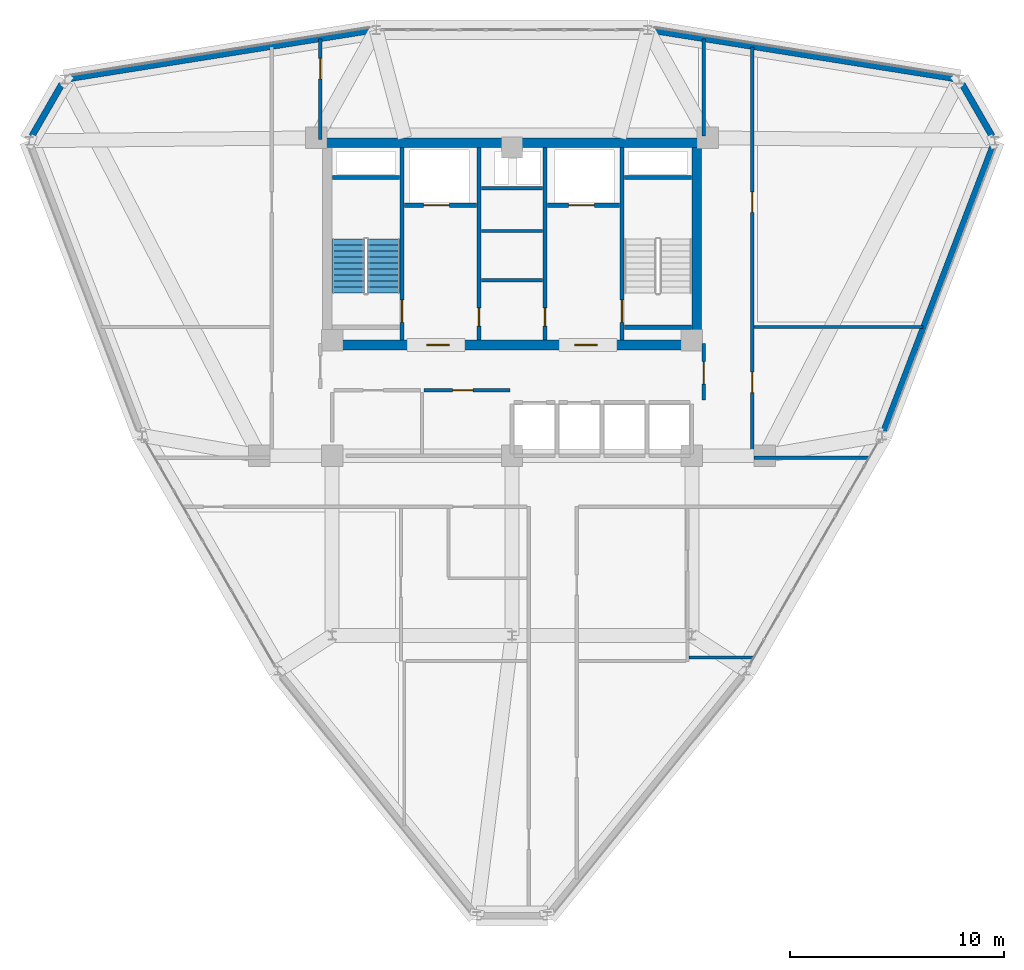
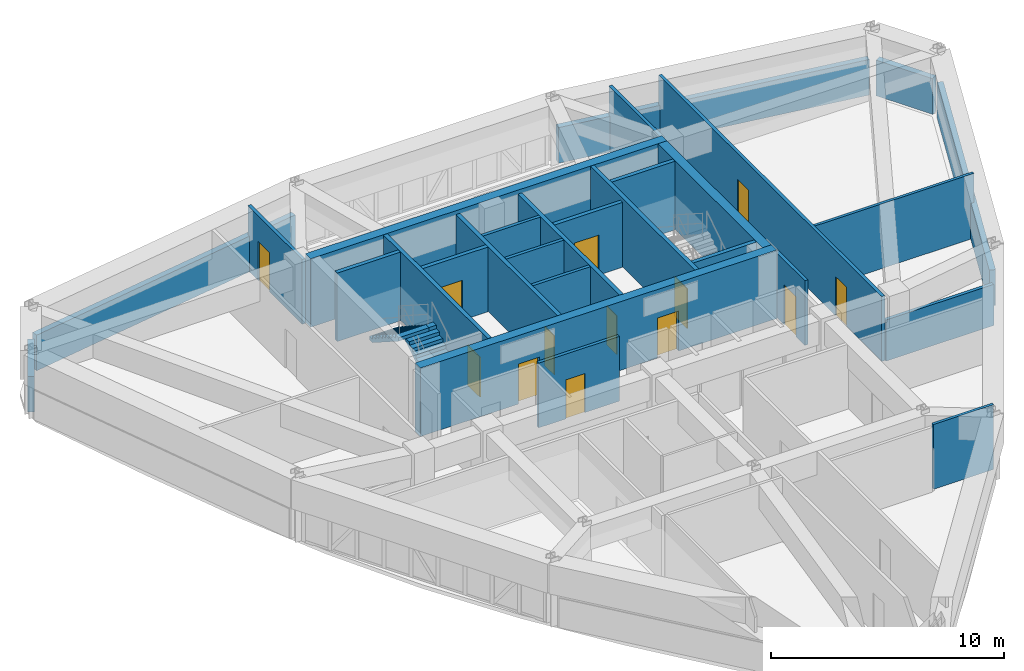
# One storey, part 11 of 14: 28 walls, 13 doors, 2 stair flights, 13 openings, 1 element without a shape of its own.
"""IFC4 building model written with IfcOpenShell, lengths in metres."""

import ifcopenshell
import ifcopenshell.guid

model = None  # the IFC model being written
_history = None  # IfcOwnerHistory: only IFC2X3 demands one
_inside = {}  # id of a spatial element -> (the spatial element, [elements in it])
_under = {}  # id of a project, library or spatial element -> (it, [spatial elements below it])
_declared = {}  # id of a project -> (the project, [libraries it declares])
_typed = {}  # id of a type object -> (the type object, [elements of that type])
_made_of = {}  # id of a material, layer set ... -> (it, [elements and type objects made of it])


def new_model(schema):
    """Start an empty IFC model of exactly this schema.

    Asked for "IFC4X3", IfcOpenShell would pick the latest addendum, in which some entities
    have other attributes; the version numbers below select the first issue.
    IFC2X3 requires an IfcOwnerHistory on every rooted entity: one is made here for all.
    """
    global model, _history
    if schema == "IFC4X3":
        model = ifcopenshell.file(schema_version=(4, 3, 0, 0))
    else:
        model = ifcopenshell.file(schema=schema)
    _inside.clear()
    _under.clear()
    _declared.clear()
    _typed.clear()
    _made_of.clear()
    _history = None
    if model.schema == "IFC2X3":
        org = make("IfcOrganization", Name="unknown")
        user = make(
            "IfcPersonAndOrganization",
            ThePerson=make("IfcPerson", FamilyName="unknown"),
            TheOrganization=org,
        )
        app = make(
            "IfcApplication",
            ApplicationDeveloper=org,
            Version="unknown",
            ApplicationFullName="unknown",
            ApplicationIdentifier="unknown",
        )
        _history = make(
            "IfcOwnerHistory",
            OwningUser=user,
            OwningApplication=app,
            ChangeAction="ADDED",
            CreationDate=0,
        )
    return model


def make(cls, **values):
    """One entity of the class cls with the attributes given. An attribute that is None is left unset."""
    return model.create_entity(
        cls, **{name: value for name, value in values.items() if value is not None}
    )


def rooted(cls, **values):
    """An entity with a GlobalId (a new one), such as an element, a storey or a relation."""
    return make(cls, GlobalId=ifcopenshell.guid.new(), OwnerHistory=_history, **values)


def si_unit(unit_type, name, prefix=None):
    """IfcSIUnit, for example si_unit("LENGTHUNIT", "METRE", prefix="MILLI")."""
    return make("IfcSIUnit", UnitType=unit_type, Prefix=prefix, Name=name)


def derived_unit(unit_type, elements):
    """IfcDerivedUnit: a product of units, each with its exponent."""
    return make(
        "IfcDerivedUnit",
        Elements=[
            make("IfcDerivedUnitElement", Unit=unit, Exponent=power)
            for unit, power in elements
        ],
        UnitType=unit_type,
    )


def assignment(units):
    """IfcUnitAssignment: the units of a project."""
    return None if units is None else make("IfcUnitAssignment", Units=units)


def point(xyz):
    """IfcCartesianPoint."""
    return None if xyz is None else make("IfcCartesianPoint", Coordinates=xyz)


def direction(xyz):
    """IfcDirection."""
    return None if xyz is None else make("IfcDirection", DirectionRatios=xyz)


def frame(location, z_axis=None, x_axis=None):
    """IfcAxis2Placement3D, a coordinate frame: its origin and axes. An axis left out is left unset."""
    return make(
        "IfcAxis2Placement3D",
        Location=point(location),
        Axis=direction(z_axis),
        RefDirection=direction(x_axis),
    )


def frame_2d(location, x_axis=None):
    """IfcAxis2Placement2D, a coordinate frame in the plane: its origin and x axis."""
    return make(
        "IfcAxis2Placement2D", Location=point(location), RefDirection=direction(x_axis)
    )


def origin():
    """The frame at (0, 0, 0) with its axes left unset."""
    return frame((0.0, 0.0, 0.0))


def place(relative_to, where):
    """IfcLocalPlacement: puts the frame where relative to a parent placement (None: the world)."""
    return make(
        "IfcLocalPlacement", PlacementRelTo=relative_to, RelativePlacement=where
    )


def context(
    kind, dimensions, precision=None, world=None, true_north=None, identifier=None
):
    """IfcGeometricRepresentationContext, for example the 3D "Model" context."""
    return make(
        "IfcGeometricRepresentationContext",
        ContextIdentifier=identifier,
        ContextType=kind,
        CoordinateSpaceDimension=dimensions,
        Precision=precision,
        WorldCoordinateSystem=world,
        TrueNorth=true_north,
    )


def subcontext(parent, identifier, kind, view, scale=None):
    """IfcGeometricRepresentationSubContext, for example "Body" below "Model"."""
    return make(
        "IfcGeometricRepresentationSubContext",
        ContextIdentifier=identifier,
        ContextType=kind,
        ParentContext=parent,
        TargetScale=scale,
        TargetView=view,
    )


def project(units=None, contexts=None):
    """IfcProject with its units and contexts."""
    return rooted(
        "IfcProject",
        Name="project",
        RepresentationContexts=contexts,
        UnitsInContext=assignment(units),
    )


def spatial(cls, under=None, at=None, **own):
    """A site, building, storey or space (cls), placed at a placement, below another one or the project."""
    s = rooted(cls, ObjectPlacement=at, **own)
    if under is not None:
        _under.setdefault(under.id(), (under, []))[1].append(s)
    return s


def polyline(points):
    """IfcPolyline through the points."""
    return make("IfcPolyline", Points=[point(p) for p in points])


def profile(cls, at=None, kind="AREA", **sizes):
    """A parametric profile (cls). Its sizes go by their IFC names, for example OverallWidth=200.0."""
    return make(cls, ProfileType=kind, Position=at, **sizes)


def rectangle(**sizes):
    """IfcRectangleProfileDef."""
    return profile("IfcRectangleProfileDef", **sizes)


def outline(outer, holes=None, kind="AREA"):
    """IfcArbitraryClosedProfileDef: a profile drawn as a closed curve; with holes, ...WithVoids."""
    if holes is None:
        return make("IfcArbitraryClosedProfileDef", ProfileType=kind, OuterCurve=outer)
    return make(
        "IfcArbitraryProfileDefWithVoids",
        ProfileType=kind,
        OuterCurve=outer,
        InnerCurves=holes,
    )


def extrude(swept, where, along, depth):
    """IfcExtrudedAreaSolid: the profile swept, set in the frame where, extruded along a direction by depth."""
    return make(
        "IfcExtrudedAreaSolid",
        SweptArea=swept,
        Position=where,
        ExtrudedDirection=direction(along),
        Depth=depth,
    )


def shape(context_of_items, identifier, shape_type, items):
    """IfcShapeRepresentation: the items that make up one representation, for example the "Body"."""
    return make(
        "IfcShapeRepresentation",
        ContextOfItems=context_of_items,
        RepresentationIdentifier=identifier,
        RepresentationType=shape_type,
        Items=items,
    )


def material(Name=None, Category=None):
    """IfcMaterial."""
    return make("IfcMaterial", Name=Name, Category=Category)


def layer(
    of_material, thickness, ventilated=None, Name=None, Category=None, Priority=None
):
    """IfcMaterialLayer: one layer of a wall or slab, of a material (None: an air gap)."""
    return make(
        "IfcMaterialLayer",
        Material=of_material,
        LayerThickness=thickness,
        IsVentilated=ventilated,
        Name=Name,
        Category=Category,
        Priority=Priority,
    )


def layer_set(layers, Name=None):
    """IfcMaterialLayerSet."""
    return make("IfcMaterialLayerSet", MaterialLayers=layers, LayerSetName=Name)


def made_of(thing, what):
    """Note that an element or type object is made of a material, layer set ...; save() writes the relation."""
    if what is not None:
        _made_of.setdefault(what.id(), (what, []))[1].append(thing)
    return thing


def type_object(cls, material=None, **own):
    """A type object (cls), such as IfcWallType, which elements share."""
    return made_of(rooted(cls, **own), material)


def element(
    cls,
    number,
    at=None,
    inside=None,
    cuts=None,
    type_object=None,
    material=None,
    context=None,
    identifier="Body",
    shape_type=None,
    held_by="IfcProductDefinitionShape",
    body=None,
    shapes=None,
    **own,
):
    """One element of the class cls, such as IfcWall. Its Tag is "e" and its number.

    at: its placement. inside: the storey or other place that contains it. cuts: it is an
    opening in that element (IfcRelVoidsElement). A single representation is given by context,
    identifier, shape_type and body (its items); several are given by shapes. held_by: the class
    of the entity that holds the representations. save() writes the other relations.
    """
    e = rooted(cls, Tag="e%d" % number, ObjectPlacement=at, **own)
    if body is not None:
        shapes = [shape(context, identifier, shape_type, body)]
    if shapes is not None:
        e.Representation = make(held_by, Representations=shapes)
    if inside is not None:
        _inside.setdefault(inside.id(), (inside, []))[1].append(e)
    if cuts is not None:
        rooted(
            "IfcRelVoidsElement", RelatingBuildingElement=cuts, RelatedOpeningElement=e
        )
    if type_object is not None:
        _typed.setdefault(type_object.id(), (type_object, []))[1].append(e)
    return made_of(e, material)


def fill(opening, filler):
    """IfcRelFillsElement: the door or window that sits in an opening."""
    return rooted(
        "IfcRelFillsElement",
        RelatingOpeningElement=opening,
        RelatedBuildingElement=filler,
    )


def aggregate(whole, parts):
    """IfcRelAggregates: a whole, such as a stair, and the parts it consists of."""
    return rooted("IfcRelAggregates", RelatingObject=whole, RelatedObjects=parts)


def save(model, path):
    """Write the relations noted so far, then the file.

    IfcRelAggregates (storeys below a building ...), IfcRelContainedInSpatialStructure (elements
    in a storey), IfcRelDefinesByType, IfcRelAssociatesMaterial and IfcRelDeclares: one each for
    every whole, place, type object, material and project.
    """
    for whole, parts in _under.values():
        aggregate(whole, parts)
    for where, things in _inside.values():
        rooted(
            "IfcRelContainedInSpatialStructure",
            RelatedElements=things,
            RelatingStructure=where,
        )
    for kind, things in _typed.values():
        rooted("IfcRelDefinesByType", RelatedObjects=things, RelatingType=kind)
    for what, things in _made_of.values():
        rooted("IfcRelAssociatesMaterial", RelatedObjects=things, RelatingMaterial=what)
    for by, libraries in _declared.values():
        rooted("IfcRelDeclares", RelatingContext=by, RelatedDefinitions=libraries)
    model.write(path)


model = new_model("IFC4")

# Units and contexts
model_context = context("Model", 3, precision=1e-05, world=origin(), true_north=direction((0.0, 1.0)))
body_context = subcontext(model_context, "Body", "Model", "MODEL_VIEW")
ifc_project = project(units=[si_unit("LENGTHUNIT", "METRE"), si_unit("AREAUNIT", "SQUARE_METRE"), si_unit("VOLUMEUNIT", "CUBIC_METRE"), si_unit("PLANEANGLEUNIT", "RADIAN"), si_unit("MASSUNIT", "GRAM", prefix="KILO"), derived_unit("THERMALTRANSMITTANCEUNIT", [(si_unit("POWERUNIT", "WATT"), 1), (si_unit("LENGTHUNIT", "METRE"), -2), (si_unit("THERMODYNAMICTEMPERATUREUNIT", "KELVIN"), -1)])], contexts=[model_context])

# Site, building, storey
site_placement = place(None, origin())
site = spatial("IfcSite", under=ifc_project, at=site_placement, CompositionType="ELEMENT")
building_placement = place(site_placement, origin())
building = spatial("IfcBuilding", under=site, at=building_placement, Name="Korsvarv Bourse and Concert Hall", CompositionType="ELEMENT")
storey_placement = place(building_placement, frame((0.0, 0.0, 175.800048828125)))
storey = spatial("IfcBuildingStorey", under=building, at=storey_placement, Name="L45", CompositionType="ELEMENT", Elevation=175.800048828125)

# Wall, opening, door
ifc_material_1 = material(Name="Concrete C50/60", Category="concrete")
ifc_layer_1 = layer(ifc_material_1, 0.3798828125)
ifc_layer_set_1 = layer_set([ifc_layer_1], Name="Concrete C50/60")
wall_type_1 = type_object("IfcWallType", Name="WL-CORE-380", PredefinedType="SHEAR", material=ifc_layer_set_1)
wall_1_placement = place(storey_placement, frame((30.860107421875, 37.81005859375, 0.0), z_axis=(0.0, 0.0, 1.0), x_axis=(0.0, 1.0, 0.0)))
wall_1 = element("IfcWall", 1, at=wall_1_placement, inside=storey, type_object=wall_type_1, Name="L45 stair shaft structural wall W-L45-ST1-E", PredefinedType="SHEAR", context=body_context, shape_type="SweptSolid", body=[
    extrude(rectangle(XDim=8.97998046875, YDim=0.199951171875, at=frame_2d((4.489990234375, 0.0))), origin(), (0.0, 0.0, 1.0), 3.599853515625),
])
opening_1_placement = place(wall_1_placement, frame((0.820068359375, 0.0, 0.0)))
opening_1 = element("IfcOpeningElement", 2, at=opening_1_placement, cuts=wall_1, Name="Opening D-01", PredefinedType="OPENING", context=body_context, shape_type="SweptSolid", body=[
    extrude(rectangle(XDim=1.050048828125, YDim=2.10009765625, at=frame_2d((0.52490234375, 1.050048828125))), frame((0.0, 0.10986328125, 0.0), z_axis=(0.0, -1.0, 0.0), x_axis=(1.0, 0.0, 0.0)), (0.0, 0.0, 1.0), 0.219970703125),
])
ifc_material_2 = material(Name="Steel S355 fire door", Category="steel")
door_type_1 = type_object("IfcDoorType", Name="DR-FD60", OperationType="NOTDEFINED", PredefinedType="DOOR", material=ifc_material_2)
door_1_placement = place(opening_1_placement, origin())
door_1 = element("IfcDoor", 3, at=door_1_placement, inside=storey, type_object=door_type_1, Name="L45 interior door DR-L45-ST1", OperationType="SINGLE_SWING_RIGHT", OverallHeight=2.10009765625, OverallWidth=1.050048828125, PredefinedType="DOOR", context=body_context, shape_type="SweptSolid", body=[
    extrude(rectangle(XDim=1.050048828125, YDim=2.10009765625, at=frame_2d((0.52490234375, 1.050048828125))), frame((0.0, 0.02490234375, 0.0), z_axis=(0.0, -1.0, 0.0), x_axis=(1.0, 0.0, 0.0)), (0.0, 0.0, 1.0), 0.050048828125),
])
fill(opening_1, door_1)

# Wall
wall_2_placement = place(storey_placement, frame((27.610107421875, 45.39990234375, 0.0), z_axis=(0.0, 0.0, 1.0), x_axis=(1.0, 0.0, 0.0)))
element("IfcWall", 4, at=wall_2_placement, inside=storey, type_object=wall_type_1, Name="L45 stair shaft structural wall W-L45-ST1-N", PredefinedType="SHEAR", context=body_context, shape_type="SweptSolid", body=[
    extrude(rectangle(XDim=3.139892578125, YDim=0.199951171875, at=frame_2d((1.56982421875, 0.0))), origin(), (0.0, 0.0, 1.0), 3.599853515625),
])

# Wall, opening, door
wall_3_placement = place(storey_placement, frame((41.139892578125, 37.81005859375, 0.0), z_axis=(0.0, 0.0, 1.0), x_axis=(0.0, 1.0, 0.0)))
wall_3 = element("IfcWall", 5, at=wall_3_placement, inside=storey, type_object=wall_type_1, Name="L45 stair shaft structural wall W-L45-ST2-W", PredefinedType="SHEAR", context=body_context, shape_type="SweptSolid", body=[
    extrude(rectangle(XDim=8.97998046875, YDim=0.199951171875, at=frame_2d((4.489990234375, 0.0))), origin(), (0.0, 0.0, 1.0), 3.599853515625),
])
opening_2_placement = place(wall_3_placement, frame((0.820068359375, 0.0, 0.0)))
opening_2 = element("IfcOpeningElement", 6, at=opening_2_placement, cuts=wall_3, Name="Opening D-01", PredefinedType="OPENING", context=body_context, shape_type="SweptSolid", body=[
    extrude(rectangle(XDim=1.050048828125, YDim=2.10009765625, at=frame_2d((0.52490234375, 1.050048828125))), frame((0.0, 0.10986328125, 0.0), z_axis=(0.0, -1.0, 0.0), x_axis=(1.0, 0.0, 0.0)), (0.0, 0.0, 1.0), 0.219970703125),
])
door_2_placement = place(opening_2_placement, frame((1.050048828125, 0.0, 0.0), z_axis=(0.0, 0.0, 1.0), x_axis=(-1.0, 0.0, 0.0)))
door_2 = element("IfcDoor", 7, at=door_2_placement, inside=storey, type_object=door_type_1, Name="L45 interior door DR-L45-ST2", OperationType="SINGLE_SWING_LEFT", OverallHeight=2.10009765625, OverallWidth=1.050048828125, PredefinedType="DOOR", context=body_context, shape_type="SweptSolid", body=[
    extrude(rectangle(XDim=1.050048828125, YDim=2.10009765625, at=frame_2d((0.52490234375, 1.050048828125))), frame((0.0, 0.02490234375, 0.0), z_axis=(0.0, -1.0, 0.0), x_axis=(1.0, 0.0, 0.0)), (0.0, 0.0, 1.0), 0.050048828125),
])
fill(opening_2, door_2)

# Walls
for number, where, z_axis, x_axis, name in (
    (8, (41.25, 45.39990234375, 0.0), (0.0, 0.0, 1.0), (1.0, 0.0, 0.0), "L45 stair shaft structural wall W-L45-ST2-N"),
    (9, (41.25, 38.39990234375, 0.0), (0.0, 0.0, 1.0), (1.0, 0.0, 0.0), "L45 stair shaft structural wall W-L45-ST2-S"),
):
    element("IfcWall", number, at=place(storey_placement, frame(where, z_axis=z_axis, x_axis=x_axis)), inside=storey, type_object=wall_type_1, Name=name, PredefinedType="SHEAR", context=body_context, shape_type="SweptSolid", body=[
        extrude(rectangle(XDim=3.139892578125, YDim=0.199951171875, at=frame_2d((1.56982421875, 0.0))), origin(), (0.0, 0.0, 1.0), 3.599853515625),
    ])
ifc_material_3 = material(Name="Concrete C55/67", Category="concrete")
ifc_layer_2 = layer(ifc_material_3, 0.449951171875)
ifc_layer_set_2 = layer_set([ifc_layer_2], Name="Concrete C55/67")
wall_type_2 = type_object("IfcWallType", Name="WL-CORE-450", PredefinedType="SHEAR", material=ifc_layer_set_2)
wall_4_placement = place(storey_placement, frame((27.14990234375, 47.02490234375, 0.0), z_axis=(0.0, 0.0, 1.0), x_axis=(1.0, 0.0, 0.0)))
element("IfcWall", 10, at=wall_4_placement, inside=storey, type_object=wall_type_2, Name="L45 North Core Shear Wall", PredefinedType="SHEAR", context=body_context, shape_type="SweptSolid", body=[
    extrude(rectangle(XDim=17.7001953125, YDim=0.449951171875, at=frame_2d((8.85009765625, 0.0))), origin(), (0.0, 0.0, 1.0), 3.599853515625),
])

# Wall, openings, doors
wall_5_placement = place(storey_placement, frame((27.14990234375, 37.574951171875, 0.0), z_axis=(0.0, 0.0, 1.0), x_axis=(1.0, 0.0, 0.0)))
wall_5 = element("IfcWall", 11, at=wall_5_placement, inside=storey, type_object=wall_type_2, Name="L45 South Core Shear Wall", PredefinedType="SHEAR", context=body_context, shape_type="SweptSolid", body=[
    extrude(rectangle(XDim=17.7001953125, YDim=0.449951171875, at=frame_2d((8.85009765625, 0.0))), origin(), (0.0, 0.0, 1.0), 3.599853515625),
])
opening_3_placement = place(wall_5_placement, frame((4.875, 0.0, 0.0)))
opening_3 = element("IfcOpeningElement", 12, at=opening_3_placement, cuts=wall_5, Name="Opening D-01", PredefinedType="OPENING", context=body_context, shape_type="SweptSolid", body=[
    extrude(rectangle(XDim=1.050048828125, YDim=2.10009765625, at=frame_2d((0.52490234375, 1.050048828125))), frame((0.0, 0.23486328125, 0.0), z_axis=(0.0, -1.0, 0.0), x_axis=(1.0, 0.0, 0.0)), (0.0, 0.0, 1.0), 0.469970703125),
])
opening_4_placement = place(wall_5_placement, frame((11.77490234375, 0.0, 0.0)))
opening_4 = element("IfcOpeningElement", 13, at=opening_4_placement, cuts=wall_5, Name="Opening D-01", PredefinedType="OPENING", context=body_context, shape_type="SweptSolid", body=[
    extrude(rectangle(XDim=1.050048828125, YDim=2.10009765625, at=frame_2d((0.52490234375, 1.050048828125))), frame((0.0, 0.23486328125, 0.0), z_axis=(0.0, -1.0, 0.0), x_axis=(1.0, 0.0, 0.0)), (0.0, 0.0, 1.0), 0.469970703125),
])
door_3_placement = place(opening_3_placement, frame((1.050048828125, 0.0, 0.0), z_axis=(0.0, 0.0, 1.0), x_axis=(-1.0, 0.0, 0.0)))
door_3 = element("IfcDoor", 14, at=door_3_placement, inside=storey, type_object=door_type_1, Name="L45 firefighting lobby fire door DR-L45-FFLW", OperationType="SINGLE_SWING_RIGHT", OverallHeight=2.10009765625, OverallWidth=1.050048828125, PredefinedType="DOOR", context=body_context, shape_type="SweptSolid", body=[
    extrude(rectangle(XDim=1.050048828125, YDim=2.10009765625, at=frame_2d((0.52490234375, 1.050048828125))), frame((0.0, 0.02490234375, 0.0), z_axis=(0.0, -1.0, 0.0), x_axis=(1.0, 0.0, 0.0)), (0.0, 0.0, 1.0), 0.050048828125),
])
fill(opening_3, door_3)
door_4_placement = place(opening_4_placement, frame((1.050048828125, 0.0, 0.0), z_axis=(0.0, 0.0, 1.0), x_axis=(-1.0, 0.0, 0.0)))
door_4 = element("IfcDoor", 15, at=door_4_placement, inside=storey, type_object=door_type_1, Name="L45 firefighting lobby fire door DR-L45-FFLE", OperationType="SINGLE_SWING_LEFT", OverallHeight=2.10009765625, OverallWidth=1.050048828125, PredefinedType="DOOR", context=body_context, shape_type="SweptSolid", body=[
    extrude(rectangle(XDim=1.050048828125, YDim=2.10009765625, at=frame_2d((0.52490234375, 1.050048828125))), frame((0.0, 0.02490234375, 0.0), z_axis=(0.0, -1.0, 0.0), x_axis=(1.0, 0.0, 0.0)), (0.0, 0.0, 1.0), 0.050048828125),
])
fill(opening_4, door_4)

# Walls
wall_6_placement = place(storey_placement, frame((44.625, 37.800048828125, 0.0), z_axis=(0.0, 0.0, 1.0), x_axis=(0.0, 1.0, 0.0)))
element("IfcWall", 16, at=wall_6_placement, inside=storey, type_object=wall_type_2, Name="L45 East Core Shear Wall", PredefinedType="SHEAR", context=body_context, shape_type="SweptSolid", body=[
    extrude(rectangle(XDim=9.0, YDim=0.449951171875, at=frame_2d((4.5, 0.0))), origin(), (0.0, 0.0, 1.0), 3.599853515625),
])
ifc_material_4 = material(Name="Precast concrete C45/55 with terracotta rainscreen", Category="concrete")
ifc_layer_3 = layer(ifc_material_4, 0.300048828125)
ifc_layer_set_3 = layer_set([ifc_layer_3], Name="Precast concrete C45/55 with terracotta rainscreen")
wall_type_3 = type_object("IfcWallType", Name="WL-EXT-TC1", PredefinedType="SOLIDWALL", material=ifc_layer_set_3)
for number, where, z_axis, x_axis, name in (
    (17, (58.430908203125, 47.327392578125, 0.0), (0.0, 0.0, 1.0), (-0.499978056798, 0.866038072327, 0.0), "L45 terracotta exterior wall EW-L45-B01"),
    (18, (14.974609375, 49.761962890625, 0.0), (0.0, 0.0, 1.0), (-0.499978056798, -0.866038072327, 0.0), "L45 terracotta exterior wall EW-L45-B05"),
):
    element("IfcWall", number, at=place(storey_placement, frame(where, z_axis=z_axis, x_axis=x_axis)), inside=storey, type_object=wall_type_3, Name=name, PredefinedType="SOLIDWALL", context=body_context, shape_type="SweptSolid", body=[
        extrude(rectangle(XDim=2.811279296875, YDim=0.300048828125, at=frame_2d((1.40576171875, 0.0))), origin(), (0.0, 0.0, 1.0), 1.869873046875),
    ])
ifc_material_5 = material(Name="Precast concrete C45/55 with fluted terracotta pier", Category="concrete")
ifc_layer_4 = layer(ifc_material_5, 0.280029296875)
ifc_layer_set_4 = layer_set([ifc_layer_4], Name="Precast concrete C45/55 with fluted terracotta pier")
wall_type_4 = type_object("IfcWallType", Name="WL-EXT-TC2", PredefinedType="SOLIDWALL", material=ifc_layer_set_4)
for number, where, z_axis, x_axis, name in (
    (19, (56.6943359375, 50.00830078125, 0.0), (0.0, 0.0, 1.0), (-0.987528363291, 0.157441200757, 0.0), "L45 terracotta exterior wall EW-L45-B02"),
    (20, (29.446044921875, 52.2626953125, 0.0), (0.0, 0.0, 1.0), (-0.987528363291, -0.157441200757, 0.0), "L45 terracotta exterior wall EW-L45-B04"),
):
    element("IfcWall", number, at=place(storey_placement, frame(where, z_axis=z_axis, x_axis=x_axis)), inside=storey, type_object=wall_type_4, Name=name, PredefinedType="SOLIDWALL", context=body_context, shape_type="SweptSolid", body=[
        extrude(rectangle(XDim=14.31884765625, YDim=0.280029296875, at=frame_2d((7.159423828125, 0.0))), origin(), (0.0, 0.0, 1.0), 1.869873046875),
    ])
wall_7_placement = place(storey_placement, frame((53.3671875, 33.560791015625, 0.0), z_axis=(0.0, 0.0, 1.0), x_axis=(0.357407179744, 0.933948664471, 0.0)))
element("IfcWall", 21, at=wall_7_placement, inside=storey, type_object=wall_type_4, Name="L45 terracotta exterior wall EW-L45-B12", PredefinedType="SOLIDWALL", context=body_context, shape_type="SweptSolid", body=[
    extrude(rectangle(XDim=14.283935546875, YDim=0.280029296875, at=frame_2d((7.14208984375, 0.0))), origin(), (0.0, 0.0, 1.0), 1.869873046875),
])

# Wall, opening, door
ifc_material_6 = material(Name="Reinforced concrete blockwork C35/45 fire wall", Category="concrete")
ifc_layer_5 = layer(ifc_material_6, 0.199951171875)
ifc_layer_set_5 = layer_set([ifc_layer_5], Name="Reinforced concrete blockwork C35/45 fire wall")
wall_type_5 = type_object("IfcWallType", Name="WL-INT-EI120", PredefinedType="PARTITIONING", material=ifc_layer_set_5)
wall_8_placement = place(storey_placement, frame((30.969970703125, 44.10009765625, 0.0), z_axis=(0.0, 0.0, 1.0), x_axis=(1.0, 0.0, 0.0)))
wall_8 = element("IfcWall", 22, at=wall_8_placement, inside=storey, type_object=wall_type_5, Name="L45 interior partition wall W-L45-FF1-S", PredefinedType="PARTITIONING", context=body_context, shape_type="SweptSolid", body=[
    extrude(rectangle(XDim=3.380126953125, YDim=0.199951171875, at=frame_2d((1.68994140625, 0.0))), origin(), (0.0, 0.0, 1.0), 3.39990234375),
])
opening_5_placement = place(wall_8_placement, frame((0.89990234375, 0.0, 0.0)))
opening_5 = element("IfcOpeningElement", 23, at=opening_5_placement, cuts=wall_8, Name="Opening LD-1", PredefinedType="OPENING", context=body_context, shape_type="SweptSolid", body=[
    extrude(rectangle(XDim=1.199951171875, YDim=2.10009765625, at=frame_2d((0.60009765625, 1.050048828125))), frame((0.0, 0.10986328125, 0.0), z_axis=(0.0, -1.0, 0.0), x_axis=(1.0, 0.0, 0.0)), (0.0, 0.0, 1.0), 0.219970703125),
])
ifc_material_7 = material(Name="Stainless Steel S355 firefighting lift landing door", Category="steel")
door_type_2 = type_object("IfcDoorType", Name="DR-LIFT-FF", OperationType="DOUBLE_DOOR_SLIDING", PredefinedType="DOOR", material=ifc_material_7)
door_5_placement = place(opening_5_placement, origin())
door_5 = element("IfcDoor", 24, at=door_5_placement, inside=storey, type_object=door_type_2, Name="L45 lift sliding landing door LD-L45-FF1", OperationType="DOUBLE_DOOR_SLIDING", OverallHeight=2.10009765625, OverallWidth=1.199951171875, PredefinedType="DOOR", context=body_context, shape_type="SweptSolid", body=[
    extrude(rectangle(XDim=1.199951171875, YDim=2.10009765625, at=frame_2d((0.60009765625, 1.050048828125))), frame((0.0, 0.02490234375, 0.0), z_axis=(0.0, -1.0, 0.0), x_axis=(1.0, 0.0, 0.0)), (0.0, 0.0, 1.0), 0.050048828125),
])
fill(opening_5, door_5)

wall_9_placement = place(storey_placement, frame((37.64990234375, 44.10009765625, 0.0), z_axis=(0.0, 0.0, 1.0), x_axis=(1.0, 0.0, 0.0)))
wall_9 = element("IfcWall", 25, at=wall_9_placement, inside=storey, type_object=wall_type_5, Name="L45 interior partition wall W-L45-FF2-S", PredefinedType="PARTITIONING", context=body_context, shape_type="SweptSolid", body=[
    extrude(rectangle(XDim=3.380126953125, YDim=0.199951171875, at=frame_2d((1.68994140625, 0.0))), origin(), (0.0, 0.0, 1.0), 3.39990234375),
])
opening_6_placement = place(wall_9_placement, frame((1.0, 0.0, 0.0)))
opening_6 = element("IfcOpeningElement", 26, at=opening_6_placement, cuts=wall_9, Name="Opening LD-1", PredefinedType="OPENING", context=body_context, shape_type="SweptSolid", body=[
    extrude(rectangle(XDim=1.199951171875, YDim=2.10009765625, at=frame_2d((0.60009765625, 1.050048828125))), frame((0.0, 0.10986328125, 0.0), z_axis=(0.0, -1.0, 0.0), x_axis=(1.0, 0.0, 0.0)), (0.0, 0.0, 1.0), 0.219970703125),
])
door_6_placement = place(opening_6_placement, origin())
door_6 = element("IfcDoor", 27, at=door_6_placement, inside=storey, type_object=door_type_2, Name="L45 lift sliding landing door LD-L45-FF2", OperationType="DOUBLE_DOOR_SLIDING", OverallHeight=2.10009765625, OverallWidth=1.199951171875, PredefinedType="DOOR", context=body_context, shape_type="SweptSolid", body=[
    extrude(rectangle(XDim=1.199951171875, YDim=2.10009765625, at=frame_2d((0.60009765625, 1.050048828125))), frame((0.0, 0.02490234375, 0.0), z_axis=(0.0, -1.0, 0.0), x_axis=(1.0, 0.0, 0.0)), (0.0, 0.0, 1.0), 0.050048828125),
])
fill(opening_6, door_6)

wall_10_placement = place(storey_placement, frame((34.4599609375, 37.81005859375, 0.0), z_axis=(0.0, 0.0, 1.0), x_axis=(0.0, 1.0, 0.0)))
wall_10 = element("IfcWall", 28, at=wall_10_placement, inside=storey, type_object=wall_type_5, Name="L45 interior partition wall W-L45-CSB-W", PredefinedType="PARTITIONING", context=body_context, shape_type="SweptSolid", body=[
    extrude(rectangle(XDim=8.97998046875, YDim=0.199951171875, at=frame_2d((4.489990234375, 0.0))), origin(), (0.0, 0.0, 1.0), 3.39990234375),
])
opening_7_placement = place(wall_10_placement, frame((0.64990234375, 0.0, 0.0)))
opening_7 = element("IfcOpeningElement", 29, at=opening_7_placement, cuts=wall_10, Name="Opening D-05", PredefinedType="OPENING", context=body_context, shape_type="SweptSolid", body=[
    extrude(rectangle(XDim=0.85009765625, YDim=2.050048828125, at=frame_2d((0.425048828125, 1.02490234375))), frame((0.0, 0.10986328125, 0.0), z_axis=(0.0, -1.0, 0.0), x_axis=(1.0, 0.0, 0.0)), (0.0, 0.0, 1.0), 0.219970703125),
])
door_type_3 = type_object("IfcDoorType", Name="DR-FD60-850X2050", OperationType="NOTDEFINED", PredefinedType="DOOR", material=ifc_material_2)
door_7_placement = place(opening_7_placement, frame((0.85009765625, 0.0, 0.0), z_axis=(0.0, 0.0, 1.0), x_axis=(-1.0, 0.0, 0.0)))
door_7 = element("IfcDoor", 30, at=door_7_placement, inside=storey, type_object=door_type_3, Name="L45 interior door DR-L45-CSB1", OperationType="SINGLE_SWING_RIGHT", OverallHeight=2.050048828125, OverallWidth=0.85009765625, PredefinedType="DOOR", context=body_context, shape_type="SweptSolid", body=[
    extrude(rectangle(XDim=0.85009765625, YDim=2.050048828125, at=frame_2d((0.425048828125, 1.02490234375))), frame((0.0, 0.02490234375, 0.0), z_axis=(0.0, -1.0, 0.0), x_axis=(1.0, 0.0, 0.0)), (0.0, 0.0, 1.0), 0.050048828125),
])
fill(opening_7, door_7)

wall_11_placement = place(storey_placement, frame((37.5400390625, 37.81005859375, 0.0), z_axis=(0.0, 0.0, 1.0), x_axis=(0.0, 1.0, 0.0)))
wall_11 = element("IfcWall", 31, at=wall_11_placement, inside=storey, type_object=wall_type_5, Name="L45 interior partition wall W-L45-CSB-E", PredefinedType="PARTITIONING", context=body_context, shape_type="SweptSolid", body=[
    extrude(rectangle(XDim=8.97998046875, YDim=0.199951171875, at=frame_2d((4.489990234375, 0.0))), origin(), (0.0, 0.0, 1.0), 3.39990234375),
])
opening_8_placement = place(wall_11_placement, frame((0.64990234375, 0.0, 0.0)))
opening_8 = element("IfcOpeningElement", 32, at=opening_8_placement, cuts=wall_11, Name="Opening D-05", PredefinedType="OPENING", context=body_context, shape_type="SweptSolid", body=[
    extrude(rectangle(XDim=0.85009765625, YDim=2.050048828125, at=frame_2d((0.425048828125, 1.02490234375))), frame((0.0, 0.10986328125, 0.0), z_axis=(0.0, -1.0, 0.0), x_axis=(1.0, 0.0, 0.0)), (0.0, 0.0, 1.0), 0.219970703125),
])
door_8_placement = place(opening_8_placement, origin())
door_8 = element("IfcDoor", 33, at=door_8_placement, inside=storey, type_object=door_type_3, Name="L45 interior door DR-L45-CSB2", OperationType="SINGLE_SWING_LEFT", OverallHeight=2.050048828125, OverallWidth=0.85009765625, PredefinedType="DOOR", context=body_context, shape_type="SweptSolid", body=[
    extrude(rectangle(XDim=0.85009765625, YDim=2.050048828125, at=frame_2d((0.425048828125, 1.02490234375))), frame((0.0, 0.02490234375, 0.0), z_axis=(0.0, -1.0, 0.0), x_axis=(1.0, 0.0, 0.0)), (0.0, 0.0, 1.0), 0.050048828125),
])
fill(opening_8, door_8)

# Walls
ifc_material_8 = material(Name="Double-stud fire-rated acoustic partition", Category="gypsum")
ifc_layer_6 = layer(ifc_material_8, 0.159912109375)
ifc_layer_set_6 = layer_set([ifc_layer_6], Name="Double-stud fire-rated acoustic partition")
wall_type_6 = type_object("IfcWallType", Name="WL-INT-EI60", PredefinedType="PARTITIONING", material=ifc_layer_set_6)
for number, where, z_axis, x_axis, name in (
    (34, (34.570068359375, 40.60009765625, 0.0), (0.0, 0.0, 1.0), (1.0, 0.0, 0.0), "L45 interior partition wall W-L45-K1"),
    (35, (34.570068359375, 42.89990234375, 0.0), (0.0, 0.0, 1.0), (1.0, 0.0, 0.0), "L45 interior partition wall W-L45-K2"),
    (36, (34.570068359375, 44.89990234375, 0.0), (0.0, 0.0, 1.0), (1.0, 0.0, 0.0), "L45 interior partition wall W-L45-K3"),
):
    element("IfcWall", number, at=place(storey_placement, frame(where, z_axis=z_axis, x_axis=x_axis)), inside=storey, type_object=wall_type_6, Name=name, PredefinedType="PARTITIONING", context=body_context, shape_type="SweptSolid", body=[
        extrude(rectangle(XDim=2.85986328125, YDim=0.159912109375, at=frame_2d((1.429931640625, 0.0))), origin(), (0.0, 0.0, 1.0), 3.39990234375),
    ])

# Wall, opening, door
wall_12_placement = place(storey_placement, frame((31.8798828125, 35.449951171875, 0.0), z_axis=(0.0, 0.0, 1.0), x_axis=(1.0, 0.0, 0.0)))
wall_12 = element("IfcWall", 37, at=wall_12_placement, inside=storey, type_object=wall_type_6, Name="L45 interior partition wall W-L45-FRD-N2", PredefinedType="PARTITIONING", context=body_context, shape_type="SweptSolid", body=[
    extrude(rectangle(XDim=4.02001953125, YDim=0.159912109375, at=frame_2d((2.010009765625, 0.0))), origin(), (0.0, 0.0, 1.0), 3.39990234375),
])
opening_9_placement = place(wall_12_placement, frame((1.35009765625, 0.0, 0.0)))
opening_9 = element("IfcOpeningElement", 38, at=opening_9_placement, cuts=wall_12, Name="Opening D-03", PredefinedType="OPENING", context=body_context, shape_type="SweptSolid", body=[
    extrude(rectangle(XDim=0.949951171875, YDim=2.050048828125, at=frame_2d((0.47509765625, 1.02490234375))), frame((0.0, 0.08984375, 0.0), z_axis=(0.0, -1.0, 0.0), x_axis=(1.0, 0.0, 0.0)), (0.0, 0.0, 1.0), 0.179931640625),
])
ifc_material_9 = material(Name="Nordic oak acoustic office door", Category="wood")
door_type_4 = type_object("IfcDoorType", Name="DR-INT-1", OperationType="NOTDEFINED", PredefinedType="DOOR", material=ifc_material_9)
door_9_placement = place(opening_9_placement, origin())
door_9 = element("IfcDoor", 39, at=door_9_placement, inside=storey, type_object=door_type_4, Name="L45 interior door DR-L45-FRDN2", OperationType="SINGLE_SWING_LEFT", OverallHeight=2.050048828125, OverallWidth=0.949951171875, PredefinedType="DOOR", context=body_context, shape_type="SweptSolid", body=[
    extrude(rectangle(XDim=0.949951171875, YDim=2.050048828125, at=frame_2d((0.47509765625, 1.02490234375))), frame((0.0, 0.02490234375, 0.0), z_axis=(0.0, -1.0, 0.0), x_axis=(1.0, 0.0, 0.0)), (0.0, 0.0, 1.0), 0.050048828125),
])
fill(opening_9, door_9)

wall_13_placement = place(storey_placement, frame((44.9599609375, 35.0, 0.0), z_axis=(0.0, 0.0, 1.0), x_axis=(0.0, 1.0, 0.0)))
wall_13 = element("IfcWall", 40, at=wall_13_placement, inside=storey, type_object=wall_type_6, Name="L45 interior partition wall W-L45-LOB-E", PredefinedType="PARTITIONING", context=body_context, shape_type="SweptSolid", body=[
    extrude(rectangle(XDim=2.64990234375, YDim=0.159912109375, at=frame_2d((1.324951171875, 0.0))), origin(), (0.0, 0.0, 1.0), 3.39990234375),
])
opening_10_placement = place(wall_13_placement, frame((0.75, 0.0, 0.0)))
opening_10 = element("IfcOpeningElement", 41, at=opening_10_placement, cuts=wall_13, Name="Opening D-01", PredefinedType="OPENING", context=body_context, shape_type="SweptSolid", body=[
    extrude(rectangle(XDim=1.050048828125, YDim=2.10009765625, at=frame_2d((0.52490234375, 1.050048828125))), frame((0.0, 0.08984375, 0.0), z_axis=(0.0, -1.0, 0.0), x_axis=(1.0, 0.0, 0.0)), (0.0, 0.0, 1.0), 0.179931640625),
])
door_10_placement = place(opening_10_placement, origin())
door_10 = element("IfcDoor", 42, at=door_10_placement, inside=storey, type_object=door_type_1, Name="L45 interior door DR-L45-LOBE", OperationType="SINGLE_SWING_LEFT", OverallHeight=2.10009765625, OverallWidth=1.050048828125, PredefinedType="DOOR", context=body_context, shape_type="SweptSolid", body=[
    extrude(rectangle(XDim=1.050048828125, YDim=2.10009765625, at=frame_2d((0.52490234375, 1.050048828125))), frame((0.0, 0.02490234375, 0.0), z_axis=(0.0, -1.0, 0.0), x_axis=(1.0, 0.0, 0.0)), (0.0, 0.0, 1.0), 0.050048828125),
])
fill(opening_10, door_10)

# Wall, openings, doors
wall_14_placement = place(storey_placement, frame((47.22509765625, 32.31005859375, 0.0), z_axis=(0.0, 0.0, 1.0), x_axis=(0.0, 1.0, 0.0)))
wall_14 = element("IfcWall", 43, at=wall_14_placement, inside=storey, type_object=wall_type_6, Name="L45 interior partition wall W-L45-TCOR-01", PredefinedType="PARTITIONING", context=body_context, shape_type="SweptSolid", body=[
    extrude(rectangle(XDim=19.187744140625, YDim=0.159912109375, at=frame_2d((9.59375, 0.0))), origin(), (0.0, 0.0, 1.0), 3.39990234375),
])
opening_11_placement = place(wall_14_placement, frame((3.044189453125, 0.0, 0.0)))
opening_11 = element("IfcOpeningElement", 44, at=opening_11_placement, cuts=wall_14, Name="Opening D-02", PredefinedType="OPENING", context=body_context, shape_type="SweptSolid", body=[
    extrude(rectangle(XDim=0.949951171875, YDim=2.050048828125, at=frame_2d((0.47509765625, 1.02490234375))), frame((0.0, 0.08984375, 0.0), z_axis=(0.0, -1.0, 0.0), x_axis=(1.0, 0.0, 0.0)), (0.0, 0.0, 1.0), 0.179931640625),
])
opening_12_placement = place(wall_14_placement, frame((11.46337890625, 0.0, 0.0)))
opening_12 = element("IfcOpeningElement", 45, at=opening_12_placement, cuts=wall_14, Name="Opening D-02", PredefinedType="OPENING", context=body_context, shape_type="SweptSolid", body=[
    extrude(rectangle(XDim=0.949951171875, YDim=2.050048828125, at=frame_2d((0.47509765625, 1.02490234375))), frame((0.0, 0.08984375, 0.0), z_axis=(0.0, -1.0, 0.0), x_axis=(1.0, 0.0, 0.0)), (0.0, 0.0, 1.0), 0.179931640625),
])
ifc_material_10 = material(Name="Timber and steel acoustic fire door", Category="wood")
door_type_5 = type_object("IfcDoorType", Name="DR-FD30", OperationType="NOTDEFINED", PredefinedType="DOOR", material=ifc_material_10)
door_11_placement = place(opening_11_placement, origin())
door_11 = element("IfcDoor", 46, at=door_11_placement, inside=storey, type_object=door_type_5, Name="L45 interior door DR-L45-TCOR-CD81", OperationType="SINGLE_SWING_RIGHT", OverallHeight=2.050048828125, OverallWidth=0.949951171875, PredefinedType="DOOR", context=body_context, shape_type="SweptSolid", body=[
    extrude(rectangle(XDim=0.949951171875, YDim=2.050048828125, at=frame_2d((0.47509765625, 1.02490234375))), frame((0.0, 0.02490234375, 0.0), z_axis=(0.0, -1.0, 0.0), x_axis=(1.0, 0.0, 0.0)), (0.0, 0.0, 1.0), 0.050048828125),
])
fill(opening_11, door_11)
door_12_placement = place(opening_12_placement, origin())
door_12 = element("IfcDoor", 47, at=door_12_placement, inside=storey, type_object=door_type_5, Name="L45 interior door DR-L45-TCOR-RM22", OperationType="SINGLE_SWING_LEFT", OverallHeight=2.050048828125, OverallWidth=0.949951171875, PredefinedType="DOOR", context=body_context, shape_type="SweptSolid", body=[
    extrude(rectangle(XDim=0.949951171875, YDim=2.050048828125, at=frame_2d((0.47509765625, 1.02490234375))), frame((0.0, 0.02490234375, 0.0), z_axis=(0.0, -1.0, 0.0), x_axis=(1.0, 0.0, 0.0)), (0.0, 0.0, 1.0), 0.050048828125),
])
fill(opening_12, door_12)

# Wall
wall_15_placement = place(storey_placement, frame((47.306884765625, 32.31494140625, 0.0), z_axis=(0.0, 0.0, 1.0), x_axis=(1.0, 0.0, 0.0)))
element("IfcWall", 48, at=wall_15_placement, inside=storey, type_object=wall_type_6, Name="L45 interior partition wall W-L45-TCOR-07", PredefinedType="PARTITIONING", context=body_context, shape_type="SweptSolid", body=[
    extrude(rectangle(XDim=5.3623046875, YDim=0.159912109375, at=frame_2d((2.68115234375, 0.0))), origin(), (0.0, 0.0, 1.0), 2.159912109375),
])

# Wall, opening, door
wall_16_placement = place(storey_placement, frame((27.034912109375, 47.18310546875, 0.0), z_axis=(0.0, 0.0, 1.0), x_axis=(0.0, 1.0, 0.0)))
wall_16 = element("IfcWall", 49, at=wall_16_placement, inside=storey, type_object=wall_type_6, Name="L45 interior partition wall W-L45-TCOR-09", PredefinedType="PARTITIONING", context=body_context, shape_type="SweptSolid", body=[
    extrude(rectangle(XDim=4.675048828125, YDim=0.159912109375, at=frame_2d((2.33740234375, 0.0))), origin(), (0.0, 0.0, 1.0), 3.39990234375),
])
opening_13_placement = place(wall_16_placement, frame((2.82666015625, 0.0, 0.0)))
opening_13 = element("IfcOpeningElement", 50, at=opening_13_placement, cuts=wall_16, Name="Opening D-02", PredefinedType="OPENING", context=body_context, shape_type="SweptSolid", body=[
    extrude(rectangle(XDim=0.949951171875, YDim=2.050048828125, at=frame_2d((0.47509765625, 1.02490234375))), frame((0.0, 0.08984375, 0.0), z_axis=(0.0, -1.0, 0.0), x_axis=(1.0, 0.0, 0.0)), (0.0, 0.0, 1.0), 0.179931640625),
])
door_13_placement = place(opening_13_placement, origin())
door_13 = element("IfcDoor", 51, at=door_13_placement, inside=storey, type_object=door_type_5, Name="L45 interior door DR-L45-TCOR-RM66", OperationType="SINGLE_SWING_LEFT", OverallHeight=2.050048828125, OverallWidth=0.949951171875, PredefinedType="DOOR", context=body_context, shape_type="SweptSolid", body=[
    extrude(rectangle(XDim=0.949951171875, YDim=2.050048828125, at=frame_2d((0.47509765625, 1.02490234375))), frame((0.0, 0.02490234375, 0.0), z_axis=(0.0, -1.0, 0.0), x_axis=(1.0, 0.0, 0.0)), (0.0, 0.0, 1.0), 0.050048828125),
])
fill(opening_13, door_13)

# Walls
wall_17_placement = place(storey_placement, frame((44.965087890625, 47.340087890625, 0.0), z_axis=(0.0, 0.0, 1.0), x_axis=(0.0, 1.0, 0.0)))
element("IfcWall", 52, at=wall_17_placement, inside=storey, type_object=wall_type_6, Name="L45 interior partition wall W-L45-TCOR-10", PredefinedType="PARTITIONING", context=body_context, shape_type="SweptSolid", body=[
    extrude(rectangle(XDim=4.51806640625, YDim=0.159912109375, at=frame_2d((2.259033203125, 0.0))), origin(), (0.0, 0.0, 1.0), 3.39990234375),
])
ifc_material_11 = material(Name="Insulated steel-stud office acoustic partition", Category="gypsum")
ifc_layer_7 = layer(ifc_material_11, 0.139892578125)
ifc_layer_set_7 = layer_set([ifc_layer_7], Name="Insulated steel-stud office acoustic partition")
wall_type_7 = type_object("IfcWallType", Name="WL-INT-P1", PredefinedType="PARTITIONING", material=ifc_layer_set_7)
wall_18_placement = place(storey_placement, frame((47.306884765625, 38.405029296875, 0.0), z_axis=(0.0, 0.0, 1.0), x_axis=(1.0, 0.0, 0.0)))
element("IfcWall", 53, at=wall_18_placement, inside=storey, type_object=wall_type_7, Name="L45 interior partition wall W-L45-TCOR-11", PredefinedType="PARTITIONING", context=body_context, shape_type="SweptSolid", body=[
    extrude(rectangle(XDim=7.89404296875, YDim=0.139892578125, at=frame_2d((3.947021484375, 0.0))), origin(), (0.0, 0.0, 1.0), 3.39990234375),
])
wall_19_placement = place(storey_placement, frame((44.277099609375, 22.964111328125, 0.0), z_axis=(0.0, 0.0, 1.0), x_axis=(0.999999946802, 0.00032618444, 0.0)))
element("IfcWall", 54, at=wall_19_placement, inside=storey, type_object=wall_type_7, Name="L45 interior partition wall W-L45-TCOR-20", PredefinedType="PARTITIONING", context=body_context, shape_type="SweptSolid", body=[
    extrude(rectangle(XDim=2.993896484375, YDim=0.139892578125, at=frame_2d((1.4970703125, 0.0))), origin(), (0.0, 0.0, 1.0), 3.39990234375),
])

# Stair, stair flights
ifc_material_12 = material(Name="Precast concrete C45/55", Category="concrete")
stair_type = type_object("IfcStairType", Name="STR-TYPE-04", PredefinedType="HALF_TURN_STAIR", material=ifc_material_12)
stair_placement = place(storey_placement, origin())
stair = element("IfcStair", 55, at=stair_placement, inside=storey, type_object=stair_type, Name="L45 Tower West Exit Stair ST-T1", PredefinedType="HALF_TURN_STAIR")
stair_flight_type = type_object("IfcStairFlightType", Name="FLT-TYPE-04", PredefinedType="STRAIGHT", material=ifc_material_12)
stair_flight_1_placement = place(storey_placement, frame((30.010009765625, 40.0, 0.0), z_axis=(0.0, 0.0, 1.0), x_axis=(0.0, 1.0, 0.0)))
stair_flight_1 = element("IfcStairFlight", 56, at=stair_flight_1_placement, type_object=stair_flight_type, Name="ST-T1 flight 1", NumberOfRisers=10, NumberOfTreads=9, PredefinedType="STRAIGHT", RiserHeight=0.18, TreadLength=0.28, context=body_context, shape_type="SweptSolid", body=[
    extrude(outline(polyline([(0.0, 0.0), (0.0, 0.179931640625), (0.280029296875, 0.179931640625), (0.280029296875, 0.360107421875), (0.56005859375, 0.360107421875), (0.56005859375, 0.5400390625), (0.840087890625, 0.5400390625), (0.840087890625, 0.719970703125), (1.1201171875, 0.719970703125), (1.1201171875, 0.89990234375), (1.39990234375, 0.89990234375), (1.39990234375, 1.080078125), (1.679931640625, 1.080078125), (1.679931640625, 1.260009765625), (1.9599609375, 1.260009765625), (1.9599609375, 1.43994140625), (2.239990234375, 1.43994140625), (2.239990234375, 1.6201171875), (2.52001953125, 1.6201171875), (2.52001953125, 1.800048828125), (2.52001953125, 1.44189453125), (0.277099609375, 0.0), (0.0, 0.0)])), frame((0.0, 0.75, 0.0), z_axis=(0.0, -1.0, 0.0), x_axis=(1.0, 0.0, 0.0)), (0.0, 0.0, 1.0), 1.5),
])
stair_flight_2_placement = place(storey_placement, frame((28.35009765625, 42.52001953125, 1.800048828125), z_axis=(0.0, 0.0, 1.0), x_axis=(0.0, -1.0, 0.0)))
stair_flight_2 = element("IfcStairFlight", 57, at=stair_flight_2_placement, type_object=stair_flight_type, Name="ST-T1 flight 2", NumberOfRisers=10, NumberOfTreads=9, PredefinedType="STRAIGHT", RiserHeight=0.18, TreadLength=0.28, context=body_context, shape_type="SweptSolid", body=[
    extrude(outline(polyline([(0.0, 0.0), (0.0, 0.179931640625), (0.280029296875, 0.179931640625), (0.280029296875, 0.360107421875), (0.56005859375, 0.360107421875), (0.56005859375, 0.5400390625), (0.840087890625, 0.5400390625), (0.840087890625, 0.719970703125), (1.1201171875, 0.719970703125), (1.1201171875, 0.89990234375), (1.39990234375, 0.89990234375), (1.39990234375, 1.080078125), (1.679931640625, 1.080078125), (1.679931640625, 1.260009765625), (1.9599609375, 1.260009765625), (1.9599609375, 1.43994140625), (2.239990234375, 1.43994140625), (2.239990234375, 1.6201171875), (2.52001953125, 1.6201171875), (2.52001953125, 1.800048828125), (2.52001953125, 1.44189453125), (0.277099609375, 0.0), (0.0, 0.0)])), frame((0.0, 0.75, 0.0), z_axis=(0.0, -1.0, 0.0), x_axis=(1.0, 0.0, 0.0)), (0.0, 0.0, 1.0), 1.5),
])
aggregate(stair, [stair_flight_1, stair_flight_2])

save(model, "model.ifc")
